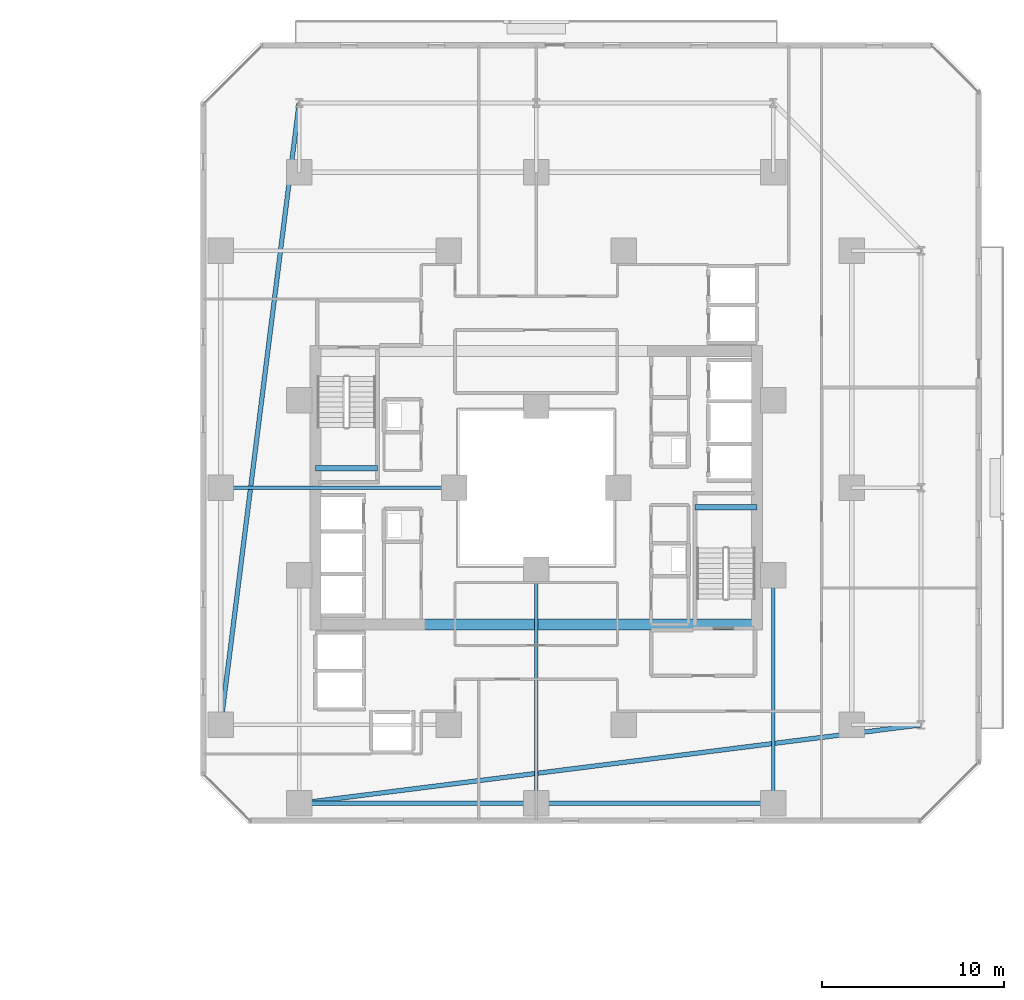
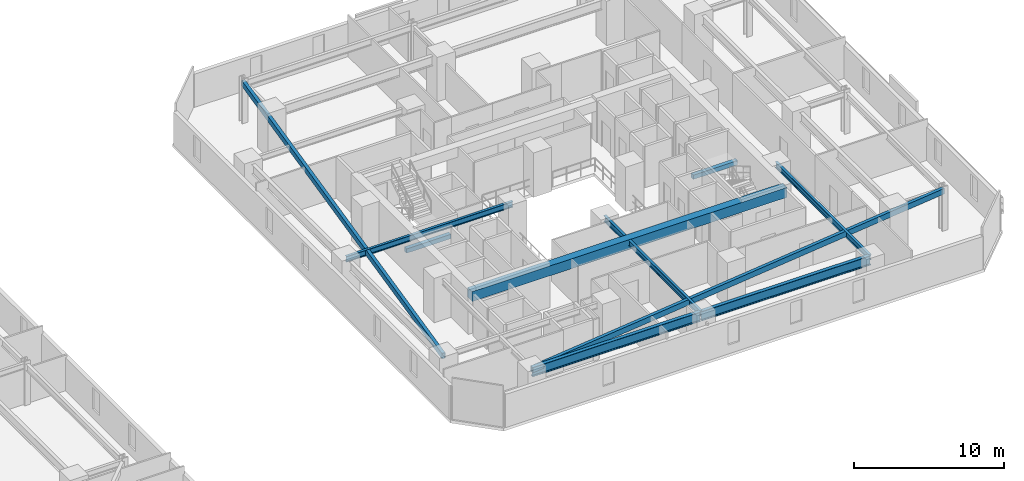
# One storey, part 13 of 34: 10 beams.
"""IFC4 building model written with IfcOpenShell, lengths in metres."""

from ifc_helpers import new_model, si_unit, direction, frame, origin, origin_2d, place, context, subcontext, project, spatial, rectangle, hollow_rectangle, i_section, extrude, material, material_profile, profile_set, type_object, element, save


model = new_model("IFC4")

# Units and contexts
model_context = context("Model", 3, precision=1e-05, world=origin(), true_north=direction((0.0, 1.0)))
body_context = subcontext(model_context, "Body", "Model", "MODEL_VIEW")
ifc_project = project(units=[si_unit("LENGTHUNIT", "METRE"), si_unit("AREAUNIT", "SQUARE_METRE"), si_unit("VOLUMEUNIT", "CUBIC_METRE"), si_unit("PLANEANGLEUNIT", "RADIAN"), si_unit("MASSUNIT", "GRAM", prefix="KILO")], contexts=[model_context])

# Site, building, storey
site_placement = place(None, origin())
site = spatial("IfcSite", under=ifc_project, at=site_placement, CompositionType="ELEMENT")
building_placement = place(site_placement, origin())
building = spatial("IfcBuilding", under=site, at=building_placement, Name="Thornwick Lancets Civic Towers", CompositionType="ELEMENT")
storey_placement = place(building_placement, frame((0.0, 0.0, 60.89990234375)))
storey = spatial("IfcBuildingStorey", under=building, at=storey_placement, Name="L15", CompositionType="ELEMENT", Elevation=60.89990234375)

# Beams
ifc_material_1 = material(Name="Concrete C60/75", Category="concrete")
ifc_material_profile_1 = material_profile(ifc_material_1, rectangle(XDim=0.60009765625, YDim=0.800048828125, at=origin_2d()), Name="RC 600x800")
ifc_profile_set_1 = profile_set([ifc_material_profile_1], Name="Concrete C60/75")
beam_type_1 = type_object("IfcBeamType", Name="BM_COUP_RC800", PredefinedType="BEAM", material=ifc_profile_set_1)
beam_1_placement = place(storey_placement, frame((76.39990234375, 19.5, 2.960205078125), z_axis=(1.0, 0.0, 0.0), x_axis=(0.0, 1.0, 0.0)))
element("IfcBeam", 1, at=beam_1_placement, inside=storey, type_object=beam_type_1, Name="CB-L15-B2", PredefinedType="BEAM", context=body_context, shape_type="SweptSolid", body=[
    extrude(rectangle(XDim=0.60009765625, YDim=0.800048828125, at=origin_2d()), origin(), (0.0, 0.0, 1.0), 24.2001953125),
])
ifc_material_2 = material(Name="Steel S355JR", Category="steel")
ifc_material_profile_2 = material_profile(ifc_material_2, i_section(OverallWidth=0.26806640625, OverallDepth=0.769775390625, WebThickness=0.015625, FlangeThickness=0.025390625, FilletRadius=0.0166015625, at=origin_2d()), Name="UKB 762x267x197")
ifc_profile_set_2 = profile_set([ifc_material_profile_2], Name="Steel S355JR")
beam_type_2 = type_object("IfcBeamType", Name="BM_GIRD_762_197", PredefinedType="BEAM", material=ifc_profile_set_2)
beam_2_placement = place(storey_placement, frame((101.5, 9.699951171875, 2.97509765625), z_axis=(-1.0, 0.0, 0.0), x_axis=(0.0, -1.0, 0.0)))
element("IfcBeam", 2, at=beam_2_placement, inside=storey, type_object=beam_type_2, Name="BM-SPINE-L15-B-9-10", PredefinedType="BEAM", context=body_context, shape_type="SweptSolid", body=[
    extrude(i_section(OverallWidth=0.26806640625, OverallDepth=0.769775390625, WebThickness=0.015625, FlangeThickness=0.025390625, FilletRadius=0.0166015625, at=origin_2d()), origin(), (0.0, 0.0, 1.0), 13.0),
])
beam_3_placement = place(storey_placement, frame((88.419921875, 9.699951171875, 2.97509765625), z_axis=(-1.0, 0.0, 0.0), x_axis=(0.0, -1.0, 0.0)))
element("IfcBeam", 3, at=beam_3_placement, inside=storey, type_object=beam_type_2, Name="BM-SPINE-L15-B-10-11", PredefinedType="BEAM", context=body_context, shape_type="SweptSolid", body=[
    extrude(i_section(OverallWidth=0.26806640625, OverallDepth=0.769775390625, WebThickness=0.015625, FlangeThickness=0.025390625, FilletRadius=0.0166015625, at=origin_2d()), origin(), (0.0, 0.0, 1.0), 12.919921875),
])
ifc_material_profile_3 = material_profile(ifc_material_2, i_section(OverallWidth=0.19287109375, OverallDepth=0.46728515625, WebThickness=0.011474609375, FlangeThickness=0.01953125, FilletRadius=0.01025390625, at=origin_2d()), Name="UKB 457x191x98")
ifc_profile_set_3 = profile_set([ifc_material_profile_3], Name="Steel S355JR")
beam_type_3 = type_object("IfcBeamType", Name="BM_JOIST_457_98", PredefinedType="JOIST", material=ifc_profile_set_3)
beam_4_placement = place(storey_placement, frame((84.0, 27.0, 3.12646484375), z_axis=(-1.0, 0.0, 0.0), x_axis=(0.0, -1.0, 0.0)))
element("IfcBeam", 4, at=beam_4_placement, inside=storey, type_object=beam_type_3, Name="BM-RADIN-L15-B08", PredefinedType="JOIST", context=body_context, shape_type="SweptSolid", body=[
    extrude(i_section(OverallWidth=0.19287109375, OverallDepth=0.46728515625, WebThickness=0.011474609375, FlangeThickness=0.01953125, FilletRadius=0.01025390625, at=origin_2d()), origin(), (0.0, 0.0, 1.0), 12.800048828125),
])
beam_5_placement = place(storey_placement, frame((101.5, 22.199951171875, 3.12646484375), z_axis=(0.0, -1.0, 0.0), x_axis=(1.0, 0.0, 0.0)))
element("IfcBeam", 5, at=beam_5_placement, inside=storey, type_object=beam_type_3, Name="BM-RADIN-L15-B10", PredefinedType="JOIST", context=body_context, shape_type="SweptSolid", body=[
    extrude(i_section(OverallWidth=0.19287109375, OverallDepth=0.46728515625, WebThickness=0.011474609375, FlangeThickness=0.01953125, FilletRadius=0.01025390625, at=origin_2d()), origin(), (0.0, 0.0, 1.0), 12.5),
])
beam_6_placement = place(storey_placement, frame((88.5, 22.5, 3.12646484375), z_axis=(0.0, -1.0, 0.0), x_axis=(1.0, 0.0, 0.0)))
element("IfcBeam", 6, at=beam_6_placement, inside=storey, type_object=beam_type_3, Name="BM-RADIN-L15-B11", PredefinedType="JOIST", context=body_context, shape_type="SweptSolid", body=[
    extrude(i_section(OverallWidth=0.19287109375, OverallDepth=0.46728515625, WebThickness=0.011474609375, FlangeThickness=0.01953125, FilletRadius=0.01025390625, at=origin_2d()), origin(), (0.0, 0.0, 1.0), 12.800048828125),
])
ifc_material_profile_4 = material_profile(ifc_material_2, hollow_rectangle(XDim=0.25, YDim=0.449951171875, WallThickness=0.01611328125, at=origin_2d()), Name="RHS 450x250x16")
ifc_profile_set_4 = profile_set([ifc_material_profile_4], Name="Steel S355JR")
beam_type_4 = type_object("IfcBeamType", Name="BM_RING_RHS450", PredefinedType="BEAM", material=ifc_profile_set_4)
for number, where, z_axis, x_axis, name in (
    (7, (75.5, 48.10009765625, 3.135009765625), (-0.12510998836, -0.992142878225, 0.0), (0.992142878225, -0.12510998836, 0.0), "BM-CHAMF-L15-B-C1"),
    (8, (75.5, 9.699951171875, 3.135009765625), (0.992142878225, 0.12510998836, 0.0), (-0.12510998836, 0.992142878225, 0.0), "BM-CHAMF-L15-B-C3"),
):
    element("IfcBeam", number, at=place(storey_placement, frame(where, z_axis=z_axis, x_axis=x_axis)), inside=storey, type_object=beam_type_4, Name=name, PredefinedType="BEAM", context=body_context, shape_type="SweptSolid", body=[
        extrude(hollow_rectangle(XDim=0.25, YDim=0.449951171875, WallThickness=0.01611328125, at=origin_2d()), origin(), (0.0, 0.0, 1.0), 34.3701171875),
    ])
ifc_material_3 = material(Name="Concrete C40/50", Category="concrete")
ifc_material_profile_5 = material_profile(ifc_material_3, rectangle(XDim=0.300048828125, YDim=0.35009765625, at=origin_2d()), Name="RC 300x350")
ifc_profile_set_5 = profile_set([ifc_material_profile_5], Name="Concrete C40/50")
beam_type_5 = type_object("IfcBeamType", Name="BM_STAIR_LDG", PredefinedType="BEAM", material=ifc_profile_set_5)
for number, where, z_axis, x_axis, name in (
    (9, (100.60009765625, 25.93505859375, 1.378173828125), (-1.0, 0.0, 0.0), (0.0, -1.0, 0.0), "L15 ST-B1 Landing Support Beam 1"),
    (10, (76.39990234375, 28.06494140625, 1.378173828125), (1.0, 0.0, 0.0), (0.0, 1.0, 0.0), "L15 ST-B2 Landing Support Beam 1"),
):
    element("IfcBeam", number, at=place(storey_placement, frame(where, z_axis=z_axis, x_axis=x_axis)), inside=storey, type_object=beam_type_5, Name=name, PredefinedType="BEAM", context=body_context, shape_type="SweptSolid", body=[
        extrude(rectangle(XDim=0.300048828125, YDim=0.35009765625, at=origin_2d()), origin(), (0.0, 0.0, 1.0), 3.400146484375),
    ])

save(model, "model.ifc")
